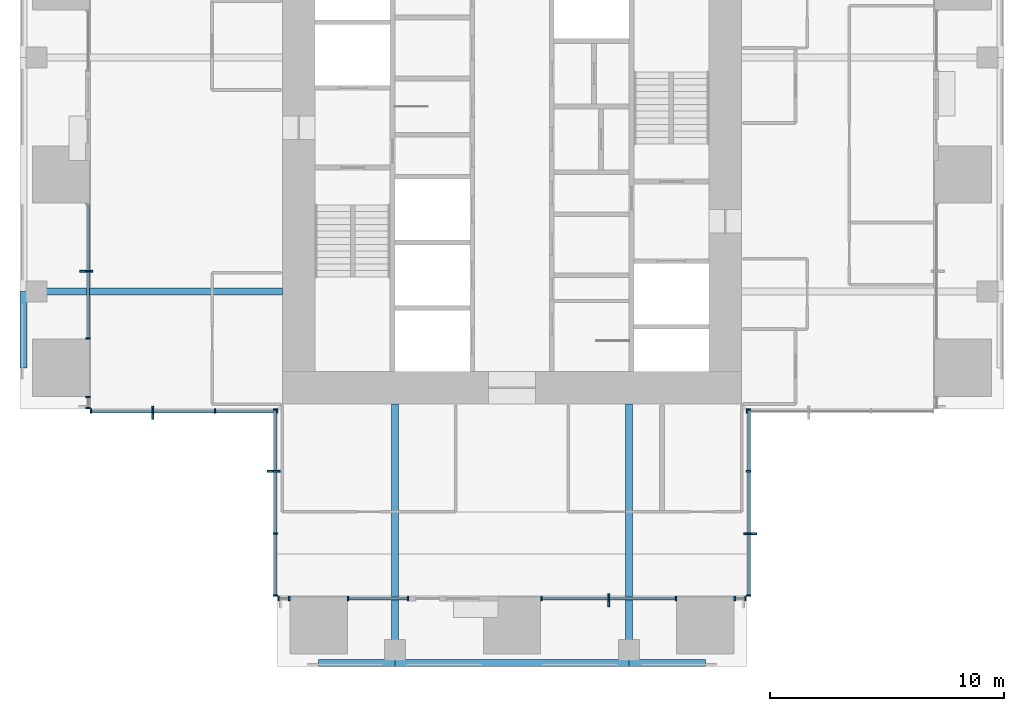
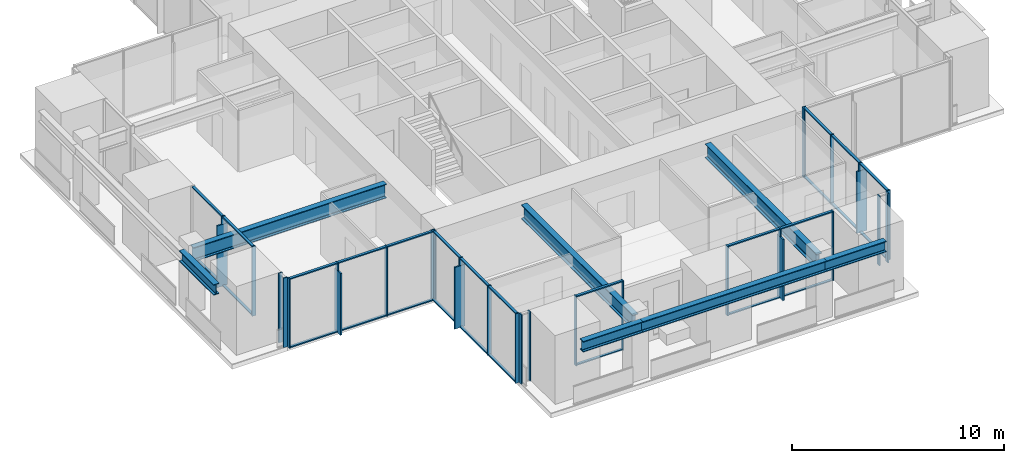
# One storey, part 2 of 17: 59 members, 7 beams, 10 elements without a shape of their own.
"""IFC4 building model written with IfcOpenShell, lengths in metres."""

from ifc_helpers import new_model, si_unit, direction, frame, origin, origin_2d, place, context, subcontext, project, spatial, rectangle, i_section, extrude, material, material_profile, profile_set, type_object, element, aggregate, save


model = new_model("IFC4")

# Units and contexts
model_context = context("Model", 3, precision=1e-05, world=origin(), true_north=direction((0.0, 1.0)))
body_context = subcontext(model_context, "Body", "Model", "MODEL_VIEW")
ifc_project = project(units=[si_unit("LENGTHUNIT", "METRE"), si_unit("AREAUNIT", "SQUARE_METRE"), si_unit("VOLUMEUNIT", "CUBIC_METRE"), si_unit("PLANEANGLEUNIT", "RADIAN"), si_unit("MASSUNIT", "GRAM", prefix="KILO")], contexts=[model_context])

# Site, building, storey
site_placement = place(None, origin())
site = spatial("IfcSite", under=ifc_project, at=site_placement, CompositionType="ELEMENT")
building_placement = place(site_placement, origin())
building = spatial("IfcBuilding", under=site, at=building_placement, Name="Svetlomir Tower", CompositionType="ELEMENT")
storey_placement = place(building_placement, frame((0.0, 0.0, 230.5)))
storey = spatial("IfcBuildingStorey", under=building, at=storey_placement, Name="L55", CompositionType="ELEMENT", Elevation=230.5)

# Curtain wall, member
ifc_material_1 = material(Name="Bronze anodised aluminium curtain wall", Category="aluminium")
curtain_wall_type = type_object("IfcCurtainWallType", Name="CURTAIN WALL CW1 TOWER OFFICE", PredefinedType="NOTDEFINED", material=ifc_material_1)
curtain_wall_1_placement = place(storey_placement, origin())
curtain_wall_1 = element("IfcCurtainWall", 1, at=curtain_wall_1_placement, inside=storey, type_object=curtain_wall_type, Name="Curtain wall CW1 L55", PredefinedType="NOTDEFINED")
ifc_material_2 = material(Name="Bronze anodised aluminium", Category="aluminium")
ifc_material_profile_1 = material_profile(ifc_material_2, rectangle(XDim=0.080078125, YDim=0.550048828125, at=origin_2d()), Name="FIN 80x550")
ifc_profile_set_1 = profile_set([ifc_material_profile_1], Name="Bronze anodised aluminium 6063-T6")
member_type_1 = type_object("IfcMemberType", Name="BRONZE FIN 80x550", PredefinedType="USERDEFINED", material=ifc_profile_set_1)
member_1_placement = place(storey_placement, frame((25.125, 2.824951171875, 0.0), z_axis=(0.0, 0.0, 1.0), x_axis=(1.0, 0.0, 0.0)))
member_1 = element("IfcMember", 2, at=member_1_placement, type_object=member_type_1, Name="Bronze fin L55", ObjectType="FIN", PredefinedType="USERDEFINED", context=body_context, shape_type="SweptSolid", body=[
    extrude(rectangle(XDim=0.080078125, YDim=0.550048828125, at=origin_2d()), origin(), (0.0, 0.0, 1.0), 3.550048828125),
])

curtain_wall_2_placement = place(storey_placement, origin())
curtain_wall_2 = element("IfcCurtainWall", 3, at=curtain_wall_2_placement, inside=storey, type_object=curtain_wall_type, Name="Curtain wall CW1 L55", PredefinedType="NOTDEFINED")
member_2_placement = place(storey_placement, frame((31.175048828125, 5.666748046875, 0.0), z_axis=(0.0, 0.0, 1.0), x_axis=(0.0, 1.0, 0.0)))
member_2 = element("IfcMember", 4, at=member_2_placement, type_object=member_type_1, Name="Bronze fin L55", ObjectType="FIN", PredefinedType="USERDEFINED", context=body_context, shape_type="SweptSolid", body=[
    extrude(rectangle(XDim=0.080078125, YDim=0.550048828125, at=origin_2d()), origin(), (0.0, 0.0, 1.0), 3.550048828125),
])

curtain_wall_3_placement = place(storey_placement, origin())
curtain_wall_3 = element("IfcCurtainWall", 5, at=curtain_wall_3_placement, inside=storey, type_object=curtain_wall_type, Name="Curtain wall CW1 L55", PredefinedType="NOTDEFINED")
member_3_placement = place(storey_placement, frame((2.824951171875, 16.875, 0.0), z_axis=(0.0, 0.0, 1.0), x_axis=(0.0, 1.0, 0.0)))
member_3 = element("IfcMember", 6, at=member_3_placement, type_object=member_type_1, Name="Bronze fin L55", ObjectType="FIN", PredefinedType="USERDEFINED", context=body_context, shape_type="SweptSolid", body=[
    extrude(rectangle(XDim=0.080078125, YDim=0.550048828125, at=origin_2d()), origin(), (0.0, 0.0, 1.0), 3.550048828125),
])

curtain_wall_4_placement = place(storey_placement, origin())
curtain_wall_4 = element("IfcCurtainWall", 7, at=curtain_wall_4_placement, inside=storey, type_object=curtain_wall_type, Name="Curtain wall CW1 L55", PredefinedType="NOTDEFINED")
member_4_placement = place(storey_placement, frame((5.666748046875, 10.824951171875, 0.0), z_axis=(0.0, 0.0, 1.0), x_axis=(1.0, 0.0, 0.0)))
member_4 = element("IfcMember", 8, at=member_4_placement, type_object=member_type_1, Name="Bronze fin L55", ObjectType="FIN", PredefinedType="USERDEFINED", context=body_context, shape_type="SweptSolid", body=[
    extrude(rectangle(XDim=0.080078125, YDim=0.550048828125, at=origin_2d()), origin(), (0.0, 0.0, 1.0), 3.550048828125),
])

curtain_wall_5_placement = place(storey_placement, origin())
curtain_wall_5 = element("IfcCurtainWall", 9, at=curtain_wall_5_placement, inside=storey, type_object=curtain_wall_type, Name="Curtain wall CW1 L55", PredefinedType="NOTDEFINED")
member_5_placement = place(storey_placement, frame((10.824951171875, 8.333251953125, 0.0), z_axis=(0.0, 0.0, 1.0), x_axis=(0.0, 1.0, 0.0)))
member_5 = element("IfcMember", 10, at=member_5_placement, type_object=member_type_1, Name="Bronze fin L55", ObjectType="FIN", PredefinedType="USERDEFINED", context=body_context, shape_type="SweptSolid", body=[
    extrude(rectangle(XDim=0.080078125, YDim=0.550048828125, at=origin_2d()), origin(), (0.0, 0.0, 1.0), 3.550048828125),
])

# Curtain wall, members
curtain_wall_6_placement = place(storey_placement, origin())
curtain_wall_6 = element("IfcCurtainWall", 11, at=curtain_wall_6_placement, inside=storey, type_object=curtain_wall_type, Name="Curtain wall CW1 L55", PredefinedType="NOTDEFINED")
ifc_material_3 = material(Name="Bronze anodised aluminium", Category="aluminium")
ifc_material_profile_2 = material_profile(ifc_material_3, rectangle(XDim=0.06494140625, YDim=0.199951171875, at=origin_2d()), Name="AL 65x200")
ifc_profile_set_2 = profile_set([ifc_material_profile_2], Name="Bronze anodised aluminium 6063-T6")
member_type_2 = type_object("IfcMemberType", Name="CW1 MULLION 65x200", PredefinedType="MULLION", material=ifc_profile_set_2)
member_6_placement = place(storey_placement, frame((11.032470703125, 2.89990234375, 0.0), z_axis=(0.0, 0.0, 1.0), x_axis=(1.0, 0.0, 0.0)))
member_6 = element("IfcMember", 12, at=member_6_placement, type_object=member_type_2, Name="CW1 mullion 1", PredefinedType="MULLION", context=body_context, shape_type="SweptSolid", body=[
    extrude(rectangle(XDim=0.06494140625, YDim=0.199951171875, at=origin_2d()), origin(), (0.0, 0.0, 1.0), 4.0),
])
member_7_placement = place(storey_placement, frame((11.492431640625, 2.89990234375, 0.0), z_axis=(0.0, 0.0, 1.0), x_axis=(1.0, 0.0, 0.0)))
member_7 = element("IfcMember", 13, at=member_7_placement, type_object=member_type_2, Name="CW1 mullion 2", PredefinedType="MULLION", context=body_context, shape_type="SweptSolid", body=[
    extrude(rectangle(XDim=0.06494140625, YDim=0.199951171875, at=origin_2d()), origin(), (0.0, 0.0, 1.0), 4.0),
])
aggregate(curtain_wall_6, [member_6, member_7])

curtain_wall_7_placement = place(storey_placement, origin())
curtain_wall_7 = element("IfcCurtainWall", 14, at=curtain_wall_7_placement, inside=storey, type_object=curtain_wall_type, Name="Curtain wall CW1 L55", PredefinedType="NOTDEFINED")
member_8_placement = place(storey_placement, frame((14.007568359375, 2.89990234375, 0.0), z_axis=(0.0, 0.0, 1.0), x_axis=(1.0, 0.0, 0.0)))
member_8 = element("IfcMember", 15, at=member_8_placement, type_object=member_type_2, Name="CW1 mullion 1", PredefinedType="MULLION", context=body_context, shape_type="SweptSolid", body=[
    extrude(rectangle(XDim=0.06494140625, YDim=0.199951171875, at=origin_2d()), origin(), (0.0, 0.0, 1.0), 4.0),
])
member_9_placement = place(storey_placement, frame((16.5673828125, 2.89990234375, 0.0), z_axis=(0.0, 0.0, 1.0), x_axis=(1.0, 0.0, 0.0)))
member_9 = element("IfcMember", 16, at=member_9_placement, type_object=member_type_2, Name="CW1 mullion 2", PredefinedType="MULLION", context=body_context, shape_type="SweptSolid", body=[
    extrude(rectangle(XDim=0.06494140625, YDim=0.199951171875, at=origin_2d()), origin(), (0.0, 0.0, 1.0), 4.0),
])

# Member
member_10_placement = place(storey_placement, frame((22.257568359375, 2.89990234375, 0.0), z_axis=(0.0, 0.0, 1.0), x_axis=(1.0, 0.0, 0.0)))
member_10 = element("IfcMember", 17, at=member_10_placement, type_object=member_type_2, Name="CW1 mullion 1", PredefinedType="MULLION", context=body_context, shape_type="SweptSolid", body=[
    extrude(rectangle(XDim=0.06494140625, YDim=0.199951171875, at=origin_2d()), origin(), (0.0, 0.0, 1.0), 4.0),
])

member_11_placement = place(storey_placement, frame((25.125, 2.89990234375, 0.0), z_axis=(0.0, 0.0, 1.0), x_axis=(1.0, 0.0, 0.0)))
member_11 = element("IfcMember", 18, at=member_11_placement, type_object=member_type_2, Name="CW1 mullion 2", PredefinedType="MULLION", context=body_context, shape_type="SweptSolid", body=[
    extrude(rectangle(XDim=0.06494140625, YDim=0.199951171875, at=origin_2d()), origin(), (0.0, 0.0, 1.0), 4.0),
])

member_12_placement = place(storey_placement, frame((27.992431640625, 2.89990234375, 0.0), z_axis=(0.0, 0.0, 1.0), x_axis=(1.0, 0.0, 0.0)))
member_12 = element("IfcMember", 19, at=member_12_placement, type_object=member_type_2, Name="CW1 mullion 3", PredefinedType="MULLION", context=body_context, shape_type="SweptSolid", body=[
    extrude(rectangle(XDim=0.06494140625, YDim=0.199951171875, at=origin_2d()), origin(), (0.0, 0.0, 1.0), 4.0),
])

# Curtain wall, members
curtain_wall_8_placement = place(storey_placement, origin())
curtain_wall_8 = element("IfcCurtainWall", 20, at=curtain_wall_8_placement, inside=storey, type_object=curtain_wall_type, Name="Curtain wall CW1 L55", PredefinedType="NOTDEFINED")
member_13_placement = place(storey_placement, frame((30.507568359375, 2.89990234375, 0.0), z_axis=(0.0, 0.0, 1.0), x_axis=(1.0, 0.0, 0.0)))
member_13 = element("IfcMember", 21, at=member_13_placement, type_object=member_type_2, Name="CW1 mullion 1", PredefinedType="MULLION", context=body_context, shape_type="SweptSolid", body=[
    extrude(rectangle(XDim=0.06494140625, YDim=0.199951171875, at=origin_2d()), origin(), (0.0, 0.0, 1.0), 4.0),
])
member_14_placement = place(storey_placement, frame((30.967529296875, 2.89990234375, 0.0), z_axis=(0.0, 0.0, 1.0), x_axis=(1.0, 0.0, 0.0)))
member_14 = element("IfcMember", 22, at=member_14_placement, type_object=member_type_2, Name="CW1 mullion 2", PredefinedType="MULLION", context=body_context, shape_type="SweptSolid", body=[
    extrude(rectangle(XDim=0.06494140625, YDim=0.199951171875, at=origin_2d()), origin(), (0.0, 0.0, 1.0), 4.0),
])
aggregate(curtain_wall_8, [member_13, member_14])

# Member
member_15_placement = place(storey_placement, frame((31.10009765625, 3.032470703125, 0.0), z_axis=(0.0, 0.0, 1.0), x_axis=(0.0, 1.0, 0.0)))
member_15 = element("IfcMember", 23, at=member_15_placement, type_object=member_type_2, Name="CW1 mullion 1", PredefinedType="MULLION", context=body_context, shape_type="SweptSolid", body=[
    extrude(rectangle(XDim=0.06494140625, YDim=0.199951171875, at=origin_2d()), origin(), (0.0, 0.0, 1.0), 4.0),
])

member_16_placement = place(storey_placement, frame((31.10009765625, 5.666748046875, 0.0), z_axis=(0.0, 0.0, 1.0), x_axis=(0.0, 1.0, 0.0)))
member_16 = element("IfcMember", 24, at=member_16_placement, type_object=member_type_2, Name="CW1 mullion 2", PredefinedType="MULLION", context=body_context, shape_type="SweptSolid", body=[
    extrude(rectangle(XDim=0.06494140625, YDim=0.199951171875, at=origin_2d()), origin(), (0.0, 0.0, 1.0), 4.0),
])

member_17_placement = place(storey_placement, frame((31.10009765625, 8.333251953125, 0.0), z_axis=(0.0, 0.0, 1.0), x_axis=(0.0, 1.0, 0.0)))
member_17 = element("IfcMember", 25, at=member_17_placement, type_object=member_type_2, Name="CW1 mullion 3", PredefinedType="MULLION", context=body_context, shape_type="SweptSolid", body=[
    extrude(rectangle(XDim=0.06494140625, YDim=0.199951171875, at=origin_2d()), origin(), (0.0, 0.0, 1.0), 4.0),
])

member_18_placement = place(storey_placement, frame((31.10009765625, 10.967529296875, 0.0), z_axis=(0.0, 0.0, 1.0), x_axis=(0.0, 1.0, 0.0)))
member_18 = element("IfcMember", 26, at=member_18_placement, type_object=member_type_2, Name="CW1 mullion 4", PredefinedType="MULLION", context=body_context, shape_type="SweptSolid", body=[
    extrude(rectangle(XDim=0.06494140625, YDim=0.199951171875, at=origin_2d()), origin(), (0.0, 0.0, 1.0), 4.0),
])

# Curtain wall, member
curtain_wall_9_placement = place(storey_placement, origin())
curtain_wall_9 = element("IfcCurtainWall", 27, at=curtain_wall_9_placement, inside=storey, type_object=curtain_wall_type, Name="Curtain wall CW1 L55", PredefinedType="NOTDEFINED")
member_19_placement = place(storey_placement, frame((31.032470703125, 10.89990234375, 0.0), z_axis=(0.0, 0.0, 1.0), x_axis=(1.0, 0.0, 0.0)))
member_19 = element("IfcMember", 28, at=member_19_placement, type_object=member_type_2, Name="CW1 mullion 1", PredefinedType="MULLION", context=body_context, shape_type="SweptSolid", body=[
    extrude(rectangle(XDim=0.06494140625, YDim=0.199951171875, at=origin_2d()), origin(), (0.0, 0.0, 1.0), 4.0),
])
aggregate(curtain_wall_9, [member_19])

# Member
member_20_placement = place(storey_placement, frame((2.89990234375, 16.875, 0.0), z_axis=(0.0, 0.0, 1.0), x_axis=(0.0, -1.0, 0.0)))
member_20 = element("IfcMember", 29, at=member_20_placement, type_object=member_type_2, Name="CW1 mullion 2", PredefinedType="MULLION", context=body_context, shape_type="SweptSolid", body=[
    extrude(rectangle(XDim=0.06494140625, YDim=0.199951171875, at=origin_2d()), origin(), (0.0, 0.0, 1.0), 4.0),
])

member_21_placement = place(storey_placement, frame((2.89990234375, 14.007568359375, 0.0), z_axis=(0.0, 0.0, 1.0), x_axis=(0.0, -1.0, 0.0)))
member_21 = element("IfcMember", 30, at=member_21_placement, type_object=member_type_2, Name="CW1 mullion 3", PredefinedType="MULLION", context=body_context, shape_type="SweptSolid", body=[
    extrude(rectangle(XDim=0.06494140625, YDim=0.199951171875, at=origin_2d()), origin(), (0.0, 0.0, 1.0), 4.0),
])

# Curtain wall, members
curtain_wall_10_placement = place(storey_placement, origin())
curtain_wall_10 = element("IfcCurtainWall", 31, at=curtain_wall_10_placement, inside=storey, type_object=curtain_wall_type, Name="Curtain wall CW1 L55", PredefinedType="NOTDEFINED")
member_22_placement = place(storey_placement, frame((2.89990234375, 11.492431640625, 0.0), z_axis=(0.0, 0.0, 1.0), x_axis=(0.0, -1.0, 0.0)))
member_22 = element("IfcMember", 32, at=member_22_placement, type_object=member_type_2, Name="CW1 mullion 1", PredefinedType="MULLION", context=body_context, shape_type="SweptSolid", body=[
    extrude(rectangle(XDim=0.06494140625, YDim=0.199951171875, at=origin_2d()), origin(), (0.0, 0.0, 1.0), 4.0),
])
member_23_placement = place(storey_placement, frame((2.89990234375, 11.032470703125, 0.0), z_axis=(0.0, 0.0, 1.0), x_axis=(0.0, -1.0, 0.0)))
member_23 = element("IfcMember", 33, at=member_23_placement, type_object=member_type_2, Name="CW1 mullion 2", PredefinedType="MULLION", context=body_context, shape_type="SweptSolid", body=[
    extrude(rectangle(XDim=0.06494140625, YDim=0.199951171875, at=origin_2d()), origin(), (0.0, 0.0, 1.0), 4.0),
])
aggregate(curtain_wall_10, [member_22, member_23])

# Member
member_24_placement = place(storey_placement, frame((3.032470703125, 10.89990234375, 0.0), z_axis=(0.0, 0.0, 1.0), x_axis=(1.0, 0.0, 0.0)))
member_24 = element("IfcMember", 34, at=member_24_placement, type_object=member_type_2, Name="CW1 mullion 1", PredefinedType="MULLION", context=body_context, shape_type="SweptSolid", body=[
    extrude(rectangle(XDim=0.06494140625, YDim=0.199951171875, at=origin_2d()), origin(), (0.0, 0.0, 1.0), 4.0),
])

member_25_placement = place(storey_placement, frame((5.666748046875, 10.89990234375, 0.0), z_axis=(0.0, 0.0, 1.0), x_axis=(1.0, 0.0, 0.0)))
member_25 = element("IfcMember", 35, at=member_25_placement, type_object=member_type_2, Name="CW1 mullion 2", PredefinedType="MULLION", context=body_context, shape_type="SweptSolid", body=[
    extrude(rectangle(XDim=0.06494140625, YDim=0.199951171875, at=origin_2d()), origin(), (0.0, 0.0, 1.0), 4.0),
])

member_26_placement = place(storey_placement, frame((8.333251953125, 10.89990234375, 0.0), z_axis=(0.0, 0.0, 1.0), x_axis=(1.0, 0.0, 0.0)))
member_26 = element("IfcMember", 36, at=member_26_placement, type_object=member_type_2, Name="CW1 mullion 3", PredefinedType="MULLION", context=body_context, shape_type="SweptSolid", body=[
    extrude(rectangle(XDim=0.06494140625, YDim=0.199951171875, at=origin_2d()), origin(), (0.0, 0.0, 1.0), 4.0),
])

member_27_placement = place(storey_placement, frame((10.967529296875, 10.89990234375, 0.0), z_axis=(0.0, 0.0, 1.0), x_axis=(1.0, 0.0, 0.0)))
member_27 = element("IfcMember", 37, at=member_27_placement, type_object=member_type_2, Name="CW1 mullion 4", PredefinedType="MULLION", context=body_context, shape_type="SweptSolid", body=[
    extrude(rectangle(XDim=0.06494140625, YDim=0.199951171875, at=origin_2d()), origin(), (0.0, 0.0, 1.0), 4.0),
])

member_28_placement = place(storey_placement, frame((10.89990234375, 10.967529296875, 0.0), z_axis=(0.0, 0.0, 1.0), x_axis=(0.0, -1.0, 0.0)))
member_28 = element("IfcMember", 38, at=member_28_placement, type_object=member_type_2, Name="CW1 mullion 1", PredefinedType="MULLION", context=body_context, shape_type="SweptSolid", body=[
    extrude(rectangle(XDim=0.06494140625, YDim=0.199951171875, at=origin_2d()), origin(), (0.0, 0.0, 1.0), 4.0),
])

member_29_placement = place(storey_placement, frame((10.89990234375, 8.333251953125, 0.0), z_axis=(0.0, 0.0, 1.0), x_axis=(0.0, -1.0, 0.0)))
member_29 = element("IfcMember", 39, at=member_29_placement, type_object=member_type_2, Name="CW1 mullion 2", PredefinedType="MULLION", context=body_context, shape_type="SweptSolid", body=[
    extrude(rectangle(XDim=0.06494140625, YDim=0.199951171875, at=origin_2d()), origin(), (0.0, 0.0, 1.0), 4.0),
])

member_30_placement = place(storey_placement, frame((10.89990234375, 5.666748046875, 0.0), z_axis=(0.0, 0.0, 1.0), x_axis=(0.0, -1.0, 0.0)))
member_30 = element("IfcMember", 40, at=member_30_placement, type_object=member_type_2, Name="CW1 mullion 3", PredefinedType="MULLION", context=body_context, shape_type="SweptSolid", body=[
    extrude(rectangle(XDim=0.06494140625, YDim=0.199951171875, at=origin_2d()), origin(), (0.0, 0.0, 1.0), 4.0),
])

member_31_placement = place(storey_placement, frame((10.89990234375, 3.032470703125, 0.0), z_axis=(0.0, 0.0, 1.0), x_axis=(0.0, -1.0, 0.0)))
member_31 = element("IfcMember", 41, at=member_31_placement, type_object=member_type_2, Name="CW1 mullion 4", PredefinedType="MULLION", context=body_context, shape_type="SweptSolid", body=[
    extrude(rectangle(XDim=0.06494140625, YDim=0.199951171875, at=origin_2d()), origin(), (0.0, 0.0, 1.0), 4.0),
])

ifc_material_4 = material(Name="Bronze anodised aluminium", Category="aluminium")
ifc_material_profile_3 = material_profile(ifc_material_4, rectangle(XDim=0.139892578125, YDim=0.06494140625, at=origin_2d()), Name="AL 140x65")
ifc_profile_set_3 = profile_set([ifc_material_profile_3], Name="Bronze anodised aluminium 6063-T6")
member_type_3 = type_object("IfcMemberType", Name="CW1 TRANSOM 65x140", PredefinedType="USERDEFINED", material=ifc_profile_set_3)
member_32_placement = place(storey_placement, frame((14.0400390625, 2.89990234375, 0.032470703125), z_axis=(1.0, 0.0, 0.0), x_axis=(0.0, 1.0, 0.0)))
member_32 = element("IfcMember", 42, at=member_32_placement, type_object=member_type_3, Name="CW1 transom 1.1", ObjectType="TRANSOM", PredefinedType="USERDEFINED", context=body_context, shape_type="SweptSolid", body=[
    extrude(rectangle(XDim=0.139892578125, YDim=0.06494140625, at=origin_2d()), origin(), (0.0, 0.0, 1.0), 2.494873046875),
])

member_33_placement = place(storey_placement, frame((14.0400390625, 2.89990234375, 3.967529296875), z_axis=(1.0, 0.0, 0.0), x_axis=(0.0, 1.0, 0.0)))
member_33 = element("IfcMember", 43, at=member_33_placement, type_object=member_type_3, Name="CW1 transom 1.2", ObjectType="TRANSOM", PredefinedType="USERDEFINED", context=body_context, shape_type="SweptSolid", body=[
    extrude(rectangle(XDim=0.139892578125, YDim=0.06494140625, at=origin_2d()), origin(), (0.0, 0.0, 1.0), 2.494873046875),
])

aggregate(curtain_wall_7, [member_8, member_9, member_32, member_33])

member_34_placement = place(storey_placement, frame((22.2900390625, 2.89990234375, 0.032470703125), z_axis=(1.0, 0.0, 0.0), x_axis=(0.0, 1.0, 0.0)))
member_34 = element("IfcMember", 44, at=member_34_placement, type_object=member_type_3, Name="CW1 transom 1.1", ObjectType="TRANSOM", PredefinedType="USERDEFINED", context=body_context, shape_type="SweptSolid", body=[
    extrude(rectangle(XDim=0.139892578125, YDim=0.06494140625, at=origin_2d()), origin(), (0.0, 0.0, 1.0), 2.802490234375),
])

member_35_placement = place(storey_placement, frame((22.2900390625, 2.89990234375, 3.967529296875), z_axis=(1.0, 0.0, 0.0), x_axis=(0.0, 1.0, 0.0)))
member_35 = element("IfcMember", 45, at=member_35_placement, type_object=member_type_3, Name="CW1 transom 1.2", ObjectType="TRANSOM", PredefinedType="USERDEFINED", context=body_context, shape_type="SweptSolid", body=[
    extrude(rectangle(XDim=0.139892578125, YDim=0.06494140625, at=origin_2d()), origin(), (0.0, 0.0, 1.0), 2.802490234375),
])

member_36_placement = place(storey_placement, frame((25.157470703125, 2.89990234375, 0.032470703125), z_axis=(1.0, 0.0, 0.0), x_axis=(0.0, 1.0, 0.0)))
member_36 = element("IfcMember", 46, at=member_36_placement, type_object=member_type_3, Name="CW1 transom 2.1", ObjectType="TRANSOM", PredefinedType="USERDEFINED", context=body_context, shape_type="SweptSolid", body=[
    extrude(rectangle(XDim=0.139892578125, YDim=0.06494140625, at=origin_2d()), origin(), (0.0, 0.0, 1.0), 2.802490234375),
])

member_37_placement = place(storey_placement, frame((25.157470703125, 2.89990234375, 3.967529296875), z_axis=(1.0, 0.0, 0.0), x_axis=(0.0, 1.0, 0.0)))
member_37 = element("IfcMember", 47, at=member_37_placement, type_object=member_type_3, Name="CW1 transom 2.2", ObjectType="TRANSOM", PredefinedType="USERDEFINED", context=body_context, shape_type="SweptSolid", body=[
    extrude(rectangle(XDim=0.139892578125, YDim=0.06494140625, at=origin_2d()), origin(), (0.0, 0.0, 1.0), 2.802490234375),
])

aggregate(curtain_wall_1, [member_10, member_11, member_12, member_34, member_35, member_36, member_37, member_1])

member_38_placement = place(storey_placement, frame((31.10009765625, 3.06494140625, 0.032470703125), z_axis=(0.0, 1.0, 0.0), x_axis=(-1.0, 0.0, 0.0)))
member_38 = element("IfcMember", 48, at=member_38_placement, type_object=member_type_3, Name="CW1 transom 1.1", ObjectType="TRANSOM", PredefinedType="USERDEFINED", context=body_context, shape_type="SweptSolid", body=[
    extrude(rectangle(XDim=0.139892578125, YDim=0.06494140625, at=origin_2d()), origin(), (0.0, 0.0, 1.0), 2.5693359375),
])

member_39_placement = place(storey_placement, frame((31.10009765625, 3.06494140625, 3.967529296875), z_axis=(0.0, 1.0, 0.0), x_axis=(-1.0, 0.0, 0.0)))
member_39 = element("IfcMember", 49, at=member_39_placement, type_object=member_type_3, Name="CW1 transom 1.2", ObjectType="TRANSOM", PredefinedType="USERDEFINED", context=body_context, shape_type="SweptSolid", body=[
    extrude(rectangle(XDim=0.139892578125, YDim=0.06494140625, at=origin_2d()), origin(), (0.0, 0.0, 1.0), 2.5693359375),
])

member_40_placement = place(storey_placement, frame((31.10009765625, 5.69921875, 0.032470703125), z_axis=(0.0, 1.0, 0.0), x_axis=(-1.0, 0.0, 0.0)))
member_40 = element("IfcMember", 50, at=member_40_placement, type_object=member_type_3, Name="CW1 transom 2.1", ObjectType="TRANSOM", PredefinedType="USERDEFINED", context=body_context, shape_type="SweptSolid", body=[
    extrude(rectangle(XDim=0.139892578125, YDim=0.06494140625, at=origin_2d()), origin(), (0.0, 0.0, 1.0), 2.6015625),
])

member_41_placement = place(storey_placement, frame((31.10009765625, 5.69921875, 3.967529296875), z_axis=(0.0, 1.0, 0.0), x_axis=(-1.0, 0.0, 0.0)))
member_41 = element("IfcMember", 51, at=member_41_placement, type_object=member_type_3, Name="CW1 transom 2.2", ObjectType="TRANSOM", PredefinedType="USERDEFINED", context=body_context, shape_type="SweptSolid", body=[
    extrude(rectangle(XDim=0.139892578125, YDim=0.06494140625, at=origin_2d()), origin(), (0.0, 0.0, 1.0), 2.6015625),
])

member_42_placement = place(storey_placement, frame((31.10009765625, 8.36572265625, 0.032470703125), z_axis=(0.0, 1.0, 0.0), x_axis=(-1.0, 0.0, 0.0)))
member_42 = element("IfcMember", 52, at=member_42_placement, type_object=member_type_3, Name="CW1 transom 3.1", ObjectType="TRANSOM", PredefinedType="USERDEFINED", context=body_context, shape_type="SweptSolid", body=[
    extrude(rectangle(XDim=0.139892578125, YDim=0.06494140625, at=origin_2d()), origin(), (0.0, 0.0, 1.0), 2.5693359375),
])

member_43_placement = place(storey_placement, frame((31.10009765625, 8.36572265625, 3.967529296875), z_axis=(0.0, 1.0, 0.0), x_axis=(-1.0, 0.0, 0.0)))
member_43 = element("IfcMember", 53, at=member_43_placement, type_object=member_type_3, Name="CW1 transom 3.2", ObjectType="TRANSOM", PredefinedType="USERDEFINED", context=body_context, shape_type="SweptSolid", body=[
    extrude(rectangle(XDim=0.139892578125, YDim=0.06494140625, at=origin_2d()), origin(), (0.0, 0.0, 1.0), 2.5693359375),
])

aggregate(curtain_wall_2, [member_15, member_16, member_17, member_18, member_38, member_39, member_40, member_41, member_42, member_43, member_2])

member_44_placement = place(storey_placement, frame((2.89990234375, 19.7099609375, 0.032470703125), z_axis=(0.0, -1.0, 0.0), x_axis=(1.0, 0.0, 0.0)))
member_44 = element("IfcMember", 54, at=member_44_placement, type_object=member_type_3, Name="CW1 transom 1.1", ObjectType="TRANSOM", PredefinedType="USERDEFINED", context=body_context, shape_type="SweptSolid", body=[
    extrude(rectangle(XDim=0.139892578125, YDim=0.06494140625, at=origin_2d()), origin(), (0.0, 0.0, 1.0), 2.802490234375),
])

member_45_placement = place(storey_placement, frame((2.89990234375, 19.7099609375, 3.967529296875), z_axis=(0.0, -1.0, 0.0), x_axis=(1.0, 0.0, 0.0)))
member_45 = element("IfcMember", 55, at=member_45_placement, type_object=member_type_3, Name="CW1 transom 1.2", ObjectType="TRANSOM", PredefinedType="USERDEFINED", context=body_context, shape_type="SweptSolid", body=[
    extrude(rectangle(XDim=0.139892578125, YDim=0.06494140625, at=origin_2d()), origin(), (0.0, 0.0, 1.0), 2.802490234375),
])

member_46_placement = place(storey_placement, frame((2.89990234375, 16.842529296875, 0.032470703125), z_axis=(0.0, -1.0, 0.0), x_axis=(1.0, 0.0, 0.0)))
member_46 = element("IfcMember", 56, at=member_46_placement, type_object=member_type_3, Name="CW1 transom 2.1", ObjectType="TRANSOM", PredefinedType="USERDEFINED", context=body_context, shape_type="SweptSolid", body=[
    extrude(rectangle(XDim=0.139892578125, YDim=0.06494140625, at=origin_2d()), origin(), (0.0, 0.0, 1.0), 2.802490234375),
])

member_47_placement = place(storey_placement, frame((2.89990234375, 16.842529296875, 3.967529296875), z_axis=(0.0, -1.0, 0.0), x_axis=(1.0, 0.0, 0.0)))
member_47 = element("IfcMember", 57, at=member_47_placement, type_object=member_type_3, Name="CW1 transom 2.2", ObjectType="TRANSOM", PredefinedType="USERDEFINED", context=body_context, shape_type="SweptSolid", body=[
    extrude(rectangle(XDim=0.139892578125, YDim=0.06494140625, at=origin_2d()), origin(), (0.0, 0.0, 1.0), 2.802490234375),
])

aggregate(curtain_wall_3, [member_20, member_21, member_44, member_45, member_46, member_47, member_3])

member_48_placement = place(storey_placement, frame((3.06494140625, 10.89990234375, 0.032470703125), z_axis=(1.0, 0.0, 0.0), x_axis=(0.0, 1.0, 0.0)))
member_48 = element("IfcMember", 58, at=member_48_placement, type_object=member_type_3, Name="CW1 transom 1.1", ObjectType="TRANSOM", PredefinedType="USERDEFINED", context=body_context, shape_type="SweptSolid", body=[
    extrude(rectangle(XDim=0.139892578125, YDim=0.06494140625, at=origin_2d()), origin(), (0.0, 0.0, 1.0), 2.5693359375),
])

member_49_placement = place(storey_placement, frame((3.06494140625, 10.89990234375, 3.967529296875), z_axis=(1.0, 0.0, 0.0), x_axis=(0.0, 1.0, 0.0)))
member_49 = element("IfcMember", 59, at=member_49_placement, type_object=member_type_3, Name="CW1 transom 1.2", ObjectType="TRANSOM", PredefinedType="USERDEFINED", context=body_context, shape_type="SweptSolid", body=[
    extrude(rectangle(XDim=0.139892578125, YDim=0.06494140625, at=origin_2d()), origin(), (0.0, 0.0, 1.0), 2.5693359375),
])

member_50_placement = place(storey_placement, frame((5.69921875, 10.89990234375, 0.032470703125), z_axis=(1.0, 0.0, 0.0), x_axis=(0.0, 1.0, 0.0)))
member_50 = element("IfcMember", 60, at=member_50_placement, type_object=member_type_3, Name="CW1 transom 2.1", ObjectType="TRANSOM", PredefinedType="USERDEFINED", context=body_context, shape_type="SweptSolid", body=[
    extrude(rectangle(XDim=0.139892578125, YDim=0.06494140625, at=origin_2d()), origin(), (0.0, 0.0, 1.0), 2.6015625),
])

member_51_placement = place(storey_placement, frame((5.69921875, 10.89990234375, 3.967529296875), z_axis=(1.0, 0.0, 0.0), x_axis=(0.0, 1.0, 0.0)))
member_51 = element("IfcMember", 61, at=member_51_placement, type_object=member_type_3, Name="CW1 transom 2.2", ObjectType="TRANSOM", PredefinedType="USERDEFINED", context=body_context, shape_type="SweptSolid", body=[
    extrude(rectangle(XDim=0.139892578125, YDim=0.06494140625, at=origin_2d()), origin(), (0.0, 0.0, 1.0), 2.6015625),
])

member_52_placement = place(storey_placement, frame((8.36572265625, 10.89990234375, 0.032470703125), z_axis=(1.0, 0.0, 0.0), x_axis=(0.0, 1.0, 0.0)))
member_52 = element("IfcMember", 62, at=member_52_placement, type_object=member_type_3, Name="CW1 transom 3.1", ObjectType="TRANSOM", PredefinedType="USERDEFINED", context=body_context, shape_type="SweptSolid", body=[
    extrude(rectangle(XDim=0.139892578125, YDim=0.06494140625, at=origin_2d()), origin(), (0.0, 0.0, 1.0), 2.5693359375),
])

member_53_placement = place(storey_placement, frame((8.36572265625, 10.89990234375, 3.967529296875), z_axis=(1.0, 0.0, 0.0), x_axis=(0.0, 1.0, 0.0)))
member_53 = element("IfcMember", 63, at=member_53_placement, type_object=member_type_3, Name="CW1 transom 3.2", ObjectType="TRANSOM", PredefinedType="USERDEFINED", context=body_context, shape_type="SweptSolid", body=[
    extrude(rectangle(XDim=0.139892578125, YDim=0.06494140625, at=origin_2d()), origin(), (0.0, 0.0, 1.0), 2.5693359375),
])

aggregate(curtain_wall_4, [member_24, member_25, member_26, member_27, member_48, member_49, member_50, member_51, member_52, member_53, member_4])

member_54_placement = place(storey_placement, frame((10.89990234375, 10.93505859375, 0.032470703125), z_axis=(0.0, -1.0, 0.0), x_axis=(1.0, 0.0, 0.0)))
member_54 = element("IfcMember", 64, at=member_54_placement, type_object=member_type_3, Name="CW1 transom 1.1", ObjectType="TRANSOM", PredefinedType="USERDEFINED", context=body_context, shape_type="SweptSolid", body=[
    extrude(rectangle(XDim=0.139892578125, YDim=0.06494140625, at=origin_2d()), origin(), (0.0, 0.0, 1.0), 2.5693359375),
])

member_55_placement = place(storey_placement, frame((10.89990234375, 10.93505859375, 3.967529296875), z_axis=(0.0, -1.0, 0.0), x_axis=(1.0, 0.0, 0.0)))
member_55 = element("IfcMember", 65, at=member_55_placement, type_object=member_type_3, Name="CW1 transom 1.2", ObjectType="TRANSOM", PredefinedType="USERDEFINED", context=body_context, shape_type="SweptSolid", body=[
    extrude(rectangle(XDim=0.139892578125, YDim=0.06494140625, at=origin_2d()), origin(), (0.0, 0.0, 1.0), 2.5693359375),
])

member_56_placement = place(storey_placement, frame((10.89990234375, 8.30078125, 0.032470703125), z_axis=(0.0, -1.0, 0.0), x_axis=(1.0, 0.0, 0.0)))
member_56 = element("IfcMember", 66, at=member_56_placement, type_object=member_type_3, Name="CW1 transom 2.1", ObjectType="TRANSOM", PredefinedType="USERDEFINED", context=body_context, shape_type="SweptSolid", body=[
    extrude(rectangle(XDim=0.139892578125, YDim=0.06494140625, at=origin_2d()), origin(), (0.0, 0.0, 1.0), 2.6015625),
])

member_57_placement = place(storey_placement, frame((10.89990234375, 8.30078125, 3.967529296875), z_axis=(0.0, -1.0, 0.0), x_axis=(1.0, 0.0, 0.0)))
member_57 = element("IfcMember", 67, at=member_57_placement, type_object=member_type_3, Name="CW1 transom 2.2", ObjectType="TRANSOM", PredefinedType="USERDEFINED", context=body_context, shape_type="SweptSolid", body=[
    extrude(rectangle(XDim=0.139892578125, YDim=0.06494140625, at=origin_2d()), origin(), (0.0, 0.0, 1.0), 2.6015625),
])

member_58_placement = place(storey_placement, frame((10.89990234375, 5.63427734375, 0.032470703125), z_axis=(0.0, -1.0, 0.0), x_axis=(1.0, 0.0, 0.0)))
member_58 = element("IfcMember", 68, at=member_58_placement, type_object=member_type_3, Name="CW1 transom 3.1", ObjectType="TRANSOM", PredefinedType="USERDEFINED", context=body_context, shape_type="SweptSolid", body=[
    extrude(rectangle(XDim=0.139892578125, YDim=0.06494140625, at=origin_2d()), origin(), (0.0, 0.0, 1.0), 2.5693359375),
])

member_59_placement = place(storey_placement, frame((10.89990234375, 5.63427734375, 3.967529296875), z_axis=(0.0, -1.0, 0.0), x_axis=(1.0, 0.0, 0.0)))
member_59 = element("IfcMember", 69, at=member_59_placement, type_object=member_type_3, Name="CW1 transom 3.2", ObjectType="TRANSOM", PredefinedType="USERDEFINED", context=body_context, shape_type="SweptSolid", body=[
    extrude(rectangle(XDim=0.139892578125, YDim=0.06494140625, at=origin_2d()), origin(), (0.0, 0.0, 1.0), 2.5693359375),
])

aggregate(curtain_wall_5, [member_28, member_29, member_30, member_31, member_54, member_55, member_56, member_57, member_58, member_59, member_5])

# Beams
ifc_material_5 = material(Name="Steel S355", Category="steel")
ifc_material_profile_4 = material_profile(ifc_material_5, i_section(OverallWidth=0.304931640625, OverallDepth=0.6201171875, WebThickness=0.02099609375, FlangeThickness=0.0400390625, FilletRadius=0.027099609375, at=origin_2d()), Name="HEM 600")
ifc_profile_set_4 = profile_set([ifc_material_profile_4], Name="Steel S355")
beam_type_1 = type_object("IfcBeamType", Name="EDGE BEAM HEM 600", PredefinedType="SPANDREL", material=ifc_profile_set_4)
for number, where, z_axis, x_axis, name in (
    (70, (12.75, 0.152587890625, 3.239990234375), (1.0, 0.0, 0.0), (0.0, 1.0, 0.0), "Edge beam 11/0 to 16/0 under L56"),
    (71, (0.152587890625, 12.75, 3.239990234375), (0.0, 1.0, 0.0), (-1.0, 0.0, 0.0), "Edge beam 0/11 to 0/16 under L56"),
):
    element("IfcBeam", number, at=place(storey_placement, frame(where, z_axis=z_axis, x_axis=x_axis)), inside=storey, type_object=beam_type_1, Name=name, PredefinedType="SPANDREL", context=body_context, shape_type="SweptSolid", body=[
        extrude(i_section(OverallWidth=0.304931640625, OverallDepth=0.6201171875, WebThickness=0.02099609375, FlangeThickness=0.0400390625, FilletRadius=0.027099609375, at=origin_2d()), origin(), (0.0, 0.0, 1.0), 3.25),
    ])
beam_1_placement = place(storey_placement, frame((16.0, 0.152587890625, 3.239990234375), z_axis=(1.0, 0.0, 0.0), x_axis=(0.0, 1.0, 0.0)))
element("IfcBeam", 72, at=beam_1_placement, inside=storey, type_object=beam_type_1, Name="Edge beam 16/0 to 26/0 under L56", PredefinedType="SPANDREL", context=body_context, shape_type="SweptSolid", body=[
    extrude(i_section(OverallWidth=0.304931640625, OverallDepth=0.6201171875, WebThickness=0.02099609375, FlangeThickness=0.0400390625, FilletRadius=0.027099609375, at=origin_2d()), origin(), (0.0, 0.0, 1.0), 10.0),
])
beam_2_placement = place(storey_placement, frame((26.0, 0.152587890625, 3.239990234375), z_axis=(1.0, 0.0, 0.0), x_axis=(0.0, 1.0, 0.0)))
element("IfcBeam", 73, at=beam_2_placement, inside=storey, type_object=beam_type_1, Name="Edge beam 26/0 to 31/0 under L56", PredefinedType="SPANDREL", context=body_context, shape_type="SweptSolid", body=[
    extrude(i_section(OverallWidth=0.304931640625, OverallDepth=0.6201171875, WebThickness=0.02099609375, FlangeThickness=0.0400390625, FilletRadius=0.027099609375, at=origin_2d()), origin(), (0.0, 0.0, 1.0), 3.25),
])
ifc_material_6 = material(Name="Steel S355", Category="steel")
ifc_material_profile_5 = material_profile(ifc_material_6, i_section(OverallWidth=0.302978515625, OverallDepth=0.81396484375, WebThickness=0.02099609375, FlangeThickness=0.0400390625, FilletRadius=0.030029296875, at=origin_2d()), Name="HEM 800")
ifc_profile_set_5 = profile_set([ifc_material_profile_5], Name="Steel S355")
beam_type_2 = type_object("IfcBeamType", Name="PLANT FLOOR BEAM HEM 800", PredefinedType="BEAM", material=ifc_profile_set_5)
for number, where, z_axis, x_axis, name in (
    (74, (16.0, 0.699951171875, 3.14306640625), (0.0, 1.0, 0.0), (-1.0, 0.0, 0.0), "Plant floor beam S 16 under L56"),
    (75, (0.699951171875, 16.0, 3.14306640625), (1.0, 0.0, 0.0), (0.0, 1.0, 0.0), "Plant floor beam W 16 under L56"),
    (76, (26.0, 0.699951171875, 3.14306640625), (0.0, 1.0, 0.0), (-1.0, 0.0, 0.0), "Plant floor beam S 26 under L56"),
):
    element("IfcBeam", number, at=place(storey_placement, frame(where, z_axis=z_axis, x_axis=x_axis)), inside=storey, type_object=beam_type_2, Name=name, PredefinedType="BEAM", context=body_context, shape_type="SweptSolid", body=[
        extrude(i_section(OverallWidth=0.302978515625, OverallDepth=0.81396484375, WebThickness=0.02099609375, FlangeThickness=0.0400390625, FilletRadius=0.030029296875, at=origin_2d()), origin(), (0.0, 0.0, 1.0), 10.5),
    ])

save(model, "model.ifc")
